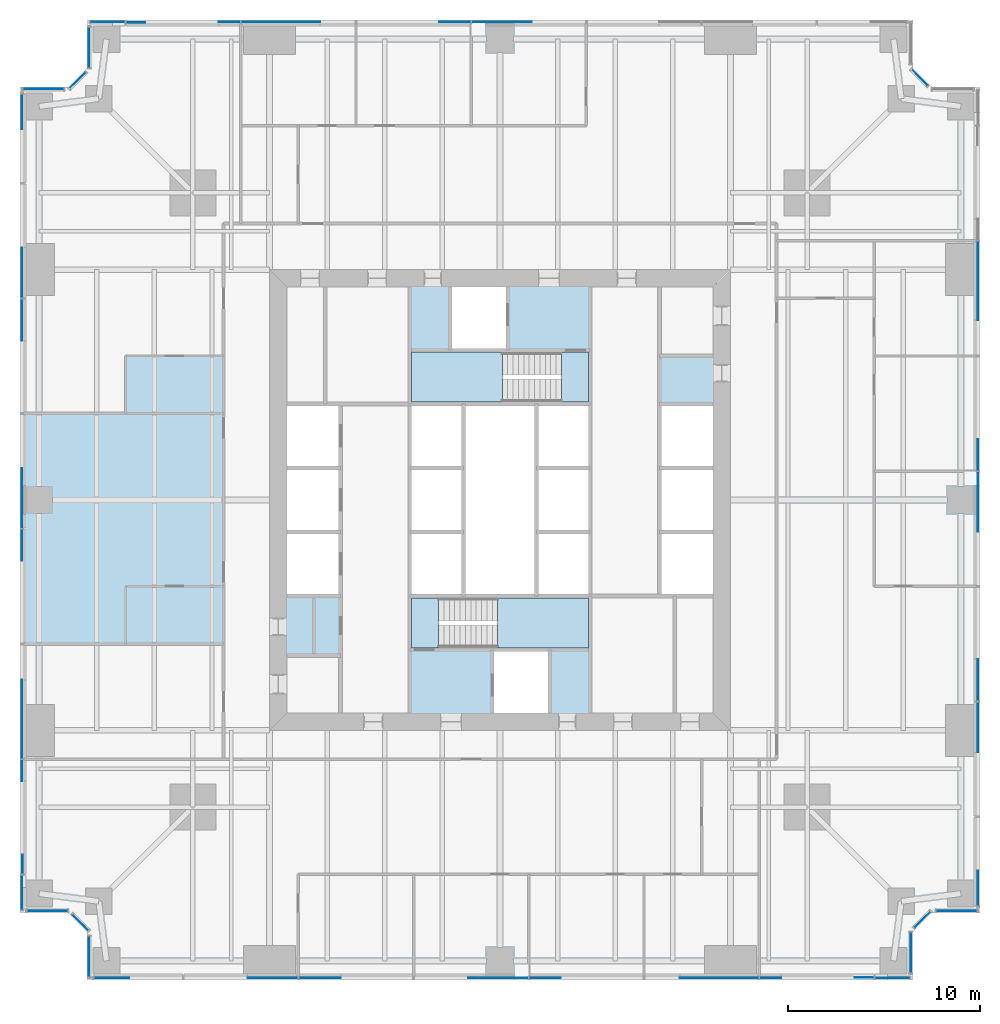
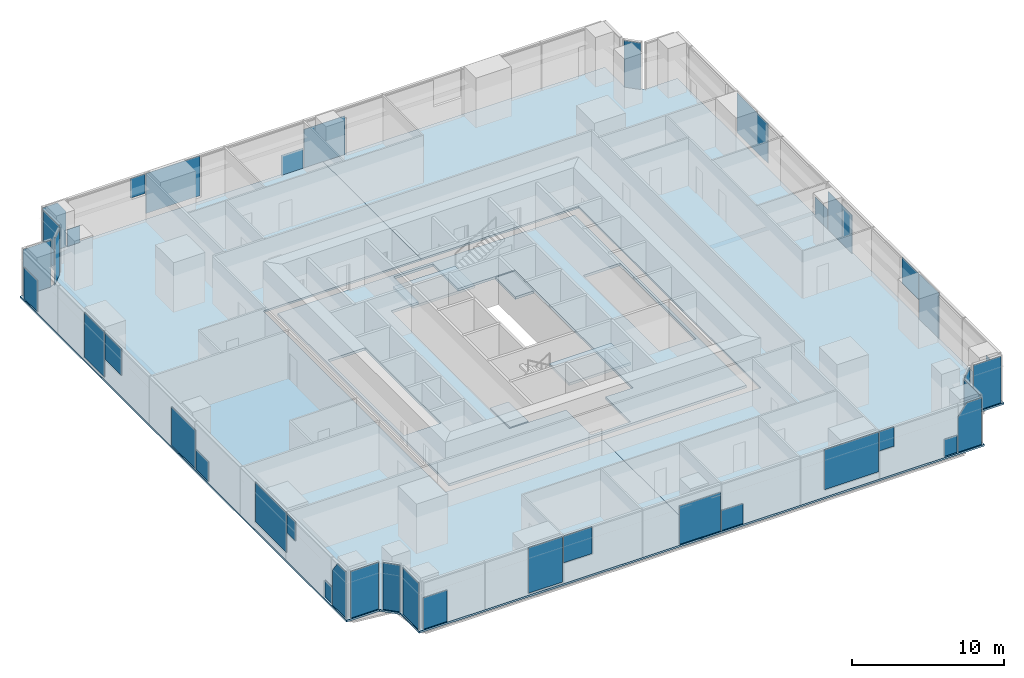
# One storey, part 8 of 14: 40 plates, 7 slabs, 16 elements without a shape of their own.
"""IFC4 building model written with IfcOpenShell, lengths in metres."""

from ifc_helpers import new_model, si_unit, direction, frame, origin, origin_2d, place, context, subcontext, project, spatial, polyline, rectangle, outline, extrude, material, layer, layer_set, type_object, element, aggregate, save


model = new_model("IFC4")

# Units and contexts
model_context = context("Model", 3, precision=1e-05, world=origin(), true_north=direction((0.0, 1.0)))
body_context = subcontext(model_context, "Body", "Model", "MODEL_VIEW")
ifc_project = project(units=[si_unit("LENGTHUNIT", "METRE"), si_unit("AREAUNIT", "SQUARE_METRE"), si_unit("VOLUMEUNIT", "CUBIC_METRE"), si_unit("PLANEANGLEUNIT", "RADIAN"), si_unit("MASSUNIT", "GRAM", prefix="KILO")], contexts=[model_context])

# Site, building, storey
site_placement = place(None, origin())
site = spatial("IfcSite", under=ifc_project, at=site_placement, CompositionType="ELEMENT")
building_placement = place(site_placement, origin())
building = spatial("IfcBuilding", under=site, at=building_placement, Name="Fenwick Lantern Interchange", CompositionType="ELEMENT")
storey_placement = place(building_placement, frame((0.0, 0.0, 83.0)))
storey = spatial("IfcBuildingStorey", under=building, at=storey_placement, Name="L19", CompositionType="ELEMENT", Elevation=83.0)

# Slabs
ifc_material_1 = material(Name="Concrete f'c 35 MPa", Category="concrete")
ifc_layer_1 = layer(ifc_material_1, 0.199951171875)
ifc_layer_set_1 = layer_set([ifc_layer_1], Name="CORE FLOOR SLAB 200")
slab_type_1 = type_object("IfcSlabType", Name="CORE FLOOR SLAB 200", PredefinedType="FLOOR", material=ifc_layer_set_1)
slab_1_placement = place(storey_placement, frame((0.0, 0.0, -0.199951171875)))
element("IfcSlab", 1, at=slab_1_placement, inside=storey, type_object=slab_type_1, Name="L19/SLAB/CORE", PredefinedType="FLOOR", context=body_context, shape_type="SweptSolid", body=[
    extrude(outline(polyline([(13.699951171875, 36.300048828125), (36.300048828125, 36.300048828125), (36.300048828125, 13.699951171875), (13.699951171875, 13.699951171875), (13.699951171875, 36.300048828125)]), holes=[polyline([(13.89990234375, 20.0), (16.699951171875, 20.0), (16.699951171875, 23.333251953125), (16.699951171875, 26.666748046875), (16.699951171875, 30.0), (13.89990234375, 30.0), (13.89990234375, 26.666748046875), (13.89990234375, 23.333251953125), (13.89990234375, 20.0)]), polyline([(20.300048828125, 20.0), (20.300048828125, 17.199951171875), (24.60009765625, 17.199951171875), (24.60009765625, 13.89990234375), (27.60009765625, 13.89990234375), (27.60009765625, 17.199951171875), (29.699951171875, 17.199951171875), (29.699951171875, 20.0), (29.699951171875, 23.333251953125), (29.699951171875, 26.666748046875), (29.699951171875, 30.0), (29.699951171875, 32.800048828125), (25.39990234375, 32.800048828125), (25.39990234375, 36.10009765625), (22.39990234375, 36.10009765625), (22.39990234375, 32.800048828125), (20.300048828125, 32.800048828125), (20.300048828125, 30.0), (20.300048828125, 26.666748046875), (20.300048828125, 23.333251953125), (20.300048828125, 20.0)]), polyline([(33.300048828125, 23.333251953125), (33.300048828125, 20.0), (36.10009765625, 20.0), (36.10009765625, 23.333251953125), (36.10009765625, 26.666748046875), (36.10009765625, 30.0), (33.300048828125, 30.0), (33.300048828125, 26.666748046875), (33.300048828125, 23.333251953125)])]), origin(), (0.0, 0.0, 1.0), 0.199951171875),
])
ifc_material_2 = material(Name="Concrete f'c 35 MPa", Category="concrete")
ifc_layer_2 = layer(ifc_material_2, 0.14990234375)
ifc_layer_set_2 = layer_set([ifc_layer_2], Name="Concrete f'c 35 MPa")
slab_type_2 = type_object("IfcSlabType", Name="FLOOR SLAB 150", PredefinedType="FLOOR", material=ifc_layer_set_2)
slab_2_placement = place(storey_placement, frame((0.0, 0.0, -0.14990234375)))
element("IfcSlab", 2, at=slab_2_placement, inside=storey, type_object=slab_type_2, Name="L19/SLAB/FW", PredefinedType="FLOOR", context=body_context, shape_type="SweptSolid", body=[
    extrude(outline(polyline([(3.5, 0.0), (3.5, 2.5), (2.5, 3.5), (0.0, 3.5), (0.0, 46.5), (2.5, 46.5), (3.5, 47.5), (3.5, 50.0), (25.0, 50.0), (25.0, 37.0), (13.0, 37.0), (13.0, 13.0), (25.0, 13.0), (25.0, 0.0), (3.5, 0.0)])), origin(), (0.0, 0.0, 1.0), 0.14990234375),
])
slab_3_placement = place(storey_placement, frame((0.0, 0.0, -0.14990234375)))
element("IfcSlab", 3, at=slab_3_placement, inside=storey, type_object=slab_type_2, Name="L19/SLAB/FE", PredefinedType="FLOOR", context=body_context, shape_type="SweptSolid", body=[
    extrude(outline(polyline([(46.5, 50.0), (46.5, 47.5), (47.5, 46.5), (50.0, 46.5), (50.0, 3.5), (47.5, 3.5), (46.5, 2.5), (46.5, 0.0), (25.0, 0.0), (25.0, 13.0), (37.0, 13.0), (37.0, 37.0), (25.0, 37.0), (25.0, 50.0), (46.5, 50.0)])), origin(), (0.0, 0.0, 1.0), 0.14990234375),
])

# Curtain wall, plates
ifc_material_3 = material(Name="Aluminium curtain wall frame", Category="aluminium")
curtain_wall_type = type_object("IfcCurtainWallType", Name="OFFICE CURTAIN WALL", PredefinedType="USERDEFINED", material=ifc_material_3)
curtain_wall_1_placement = place(storey_placement, origin())
curtain_wall_1 = element("IfcCurtainWall", 4, at=curtain_wall_1_placement, inside=storey, type_object=curtain_wall_type, Name="Office curtain wall 01", ObjectType="OFFICE CURTAIN WALL", PredefinedType="USERDEFINED")
ifc_material_4 = material(Name="Vision glass, clear low-iron double glazed", Category="glass")
ifc_layer_3 = layer(ifc_material_4, 0.031982421875)
ifc_layer_set_3 = layer_set([ifc_layer_3], Name="OFFICE CURTAIN WALL PANEL 32")
plate_type = type_object("IfcPlateType", Name="OFFICE CURTAIN WALL PANEL 32", PredefinedType="CURTAIN_PANEL", material=ifc_layer_set_3)
plate_1_placement = place(storey_placement, frame((3.60009765625, 0.10009765625, 0.0), z_axis=(0.0, 0.0, 1.0), x_axis=(1.0, 0.0, 0.0)))
plate_1 = element("IfcPlate", 5, at=plate_1_placement, type_object=plate_type, Name="L19/CW/01/P00a", PredefinedType="CURTAIN_PANEL", context=body_context, shape_type="SweptSolid", body=[
    extrude(outline(polyline([(0.264892578125, 0.0), (2.080078125, 0.0), (2.080078125, 2.534912109375), (0.264892578125, 2.534912109375), (0.264892578125, 0.0)])), frame((0.0, 0.01611328125, 0.0), z_axis=(0.0, -1.0, 0.0), x_axis=(1.0, 0.0, 0.0)), (0.0, 0.0, 1.0), 0.031982421875),
])
plate_2_placement = place(storey_placement, frame((3.60009765625, 0.10009765625, 0.093505859375), z_axis=(0.0, 0.0, 1.0), x_axis=(1.0, 0.0, 0.0)))
plate_2 = element("IfcPlate", 6, at=plate_2_placement, type_object=plate_type, Name="L19/CW/01/P01a", PredefinedType="CURTAIN_PANEL", context=body_context, shape_type="SweptSolid", body=[
    extrude(outline(polyline([(8.251953125, 0.0), (10.867431640625, 0.0), (10.867431640625, 3.656494140625), (8.251953125, 3.656494140625), (8.251953125, 0.0)])), frame((0.0, 0.01611328125, 0.0), z_axis=(0.0, -1.0, 0.0), x_axis=(1.0, 0.0, 0.0)), (0.0, 0.0, 1.0), 0.031982421875),
])
plate_3_placement = place(storey_placement, frame((3.60009765625, 0.10009765625, 1.599365234375), z_axis=(0.0, 0.0, 1.0), x_axis=(1.0, 0.0, 0.0)))
plate_3 = element("IfcPlate", 7, at=plate_3_placement, type_object=plate_type, Name="L19/CW/01/P02a", PredefinedType="CURTAIN_PANEL", context=body_context, shape_type="SweptSolid", body=[
    extrude(outline(polyline([(10.9326171875, 0.0), (13.107421875, 0.0), (13.107421875, 2.150634765625), (10.9326171875, 2.150634765625), (10.9326171875, 0.0)])), frame((0.0, 0.01611328125, 0.0), z_axis=(0.0, -1.0, 0.0), x_axis=(1.0, 0.0, 0.0)), (0.0, 0.0, 1.0), 0.031982421875),
])
plate_4_placement = place(storey_placement, frame((3.60009765625, 0.10009765625, 0.0), z_axis=(0.0, 0.0, 1.0), x_axis=(1.0, 0.0, 0.0)))
plate_4 = element("IfcPlate", 8, at=plate_4_placement, type_object=plate_type, Name="L19/CW/01/P03a", PredefinedType="CURTAIN_PANEL", context=body_context, shape_type="SweptSolid", body=[
    extrude(outline(polyline([(19.737548828125, 0.0), (22.867431640625, 0.0), (22.867431640625, 3.09912109375), (19.737548828125, 3.09912109375), (19.737548828125, 0.0)])), frame((0.0, 0.01611328125, 0.0), z_axis=(0.0, -1.0, 0.0), x_axis=(1.0, 0.0, 0.0)), (0.0, 0.0, 1.0), 0.031982421875),
])
plate_5_placement = place(storey_placement, frame((3.60009765625, 0.10009765625, 0.0), z_axis=(0.0, 0.0, 1.0), x_axis=(1.0, 0.0, 0.0)))
plate_5 = element("IfcPlate", 9, at=plate_5_placement, type_object=plate_type, Name="L19/CW/01/P04a", PredefinedType="CURTAIN_PANEL", context=body_context, shape_type="SweptSolid", body=[
    extrude(outline(polyline([(22.9326171875, 0.0), (24.5625, 0.0), (24.5625, 1.61328125), (22.9326171875, 1.61328125), (22.9326171875, 0.0)])), frame((0.0, 0.01611328125, 0.0), z_axis=(0.0, -1.0, 0.0), x_axis=(1.0, 0.0, 0.0)), (0.0, 0.0, 1.0), 0.031982421875),
])
plate_6_placement = place(storey_placement, frame((3.60009765625, 0.10009765625, 0.540283203125), z_axis=(0.0, 0.0, 1.0), x_axis=(1.0, 0.0, 0.0)))
plate_6 = element("IfcPlate", 10, at=plate_6_placement, type_object=plate_type, Name="L19/CW/01/P05a", PredefinedType="CURTAIN_PANEL", context=body_context, shape_type="SweptSolid", body=[
    extrude(outline(polyline([(30.762451171875, 0.0), (34.867431640625, 0.0), (34.867431640625, 3.209716796875), (30.762451171875, 3.209716796875), (30.762451171875, 0.0)])), frame((0.0, 0.01611328125, 0.0), z_axis=(0.0, -1.0, 0.0), x_axis=(1.0, 0.0, 0.0)), (0.0, 0.0, 1.0), 0.031982421875),
])
plate_7_placement = place(storey_placement, frame((3.60009765625, 0.10009765625, 2.190185546875), z_axis=(0.0, 0.0, 1.0), x_axis=(1.0, 0.0, 0.0)))
plate_7 = element("IfcPlate", 11, at=plate_7_placement, type_object=plate_type, Name="L19/CW/01/P06a", PredefinedType="CURTAIN_PANEL", context=body_context, shape_type="SweptSolid", body=[
    extrude(outline(polyline([(34.9326171875, 0.0), (36.047607421875, 0.0), (36.047607421875, 1.559814453125), (34.9326171875, 1.559814453125), (34.9326171875, 0.0)])), frame((0.0, 0.01611328125, 0.0), z_axis=(0.0, -1.0, 0.0), x_axis=(1.0, 0.0, 0.0)), (0.0, 0.0, 1.0), 0.031982421875),
])
plate_8_placement = place(storey_placement, frame((3.60009765625, 0.10009765625, 0.0), z_axis=(0.0, 0.0, 1.0), x_axis=(1.0, 0.0, 0.0)))
plate_8 = element("IfcPlate", 12, at=plate_8_placement, type_object=plate_type, Name="L19/CW/01/P06b", PredefinedType="CURTAIN_PANEL", context=body_context, shape_type="SweptSolid", body=[
    extrude(outline(polyline([(39.88720703125, 0.0), (40.867431640625, 0.0), (40.867431640625, 1.370361328125), (39.88720703125, 1.370361328125), (39.88720703125, 0.0)])), frame((0.0, 0.0498046875, 0.0), z_axis=(0.0, -1.0, 0.0), x_axis=(1.0, 0.0, 0.0)), (0.0, 0.0, 1.0), 0.031982421875),
])
plate_9_placement = place(storey_placement, frame((3.60009765625, 0.10009765625, 0.0), z_axis=(0.0, 0.0, 1.0), x_axis=(1.0, 0.0, 0.0)))
plate_9 = element("IfcPlate", 13, at=plate_9_placement, type_object=plate_type, Name="L19/CW/01/P07a", PredefinedType="CURTAIN_PANEL", context=body_context, shape_type="SweptSolid", body=[
    extrude(outline(polyline([(40.9326171875, 0.0), (42.735107421875, 0.0), (42.735107421875, 3.75), (41.589111328125, 3.75), (40.9326171875, 2.83203125), (40.9326171875, 0.0)])), frame((0.0, 0.01611328125, 0.0), z_axis=(0.0, -1.0, 0.0), x_axis=(1.0, 0.0, 0.0)), (0.0, 0.0, 1.0), 0.031982421875),
])
aggregate(curtain_wall_1, [plate_1, plate_2, plate_3, plate_4, plate_5, plate_6, plate_7, plate_8, plate_9])

# Curtain wall, plate
curtain_wall_2_placement = place(storey_placement, origin())
curtain_wall_2 = element("IfcCurtainWall", 14, at=curtain_wall_2_placement, inside=storey, type_object=curtain_wall_type, Name="Office curtain wall 02", ObjectType="OFFICE CURTAIN WALL", PredefinedType="USERDEFINED")
plate_10_placement = place(storey_placement, frame((46.39990234375, 1.420654296875, 0.0), z_axis=(0.0, 0.0, 1.0), x_axis=(0.0, 1.0, 0.0)))
plate_10 = element("IfcPlate", 15, at=plate_10_placement, type_object=plate_type, Name="L19/CW/02/P00", PredefinedType="CURTAIN_PANEL", context=body_context, shape_type="SweptSolid", body=[
    extrude(rectangle(XDim=2.111328125, YDim=0.031982421875, at=origin_2d()), origin(), (0.0, 0.0, 1.0), 3.75),
])
aggregate(curtain_wall_2, [plate_10])

curtain_wall_3_placement = place(storey_placement, origin())
curtain_wall_3 = element("IfcCurtainWall", 16, at=curtain_wall_3_placement, inside=storey, type_object=curtain_wall_type, Name="Office curtain wall 03", ObjectType="OFFICE CURTAIN WALL", PredefinedType="USERDEFINED")
plate_11_placement = place(storey_placement, frame((47.0, 3.141357421875, 0.0), z_axis=(0.0, 0.0, 1.0), x_axis=(0.707106781187, 0.707106781187, 0.0)))
plate_11 = element("IfcPlate", 17, at=plate_11_placement, type_object=plate_type, Name="L19/CW/03/P00", PredefinedType="CURTAIN_PANEL", context=body_context, shape_type="SweptSolid", body=[
    extrude(rectangle(XDim=1.1669921875, YDim=0.031982421875, at=origin_2d()), origin(), (0.0, 0.0, 1.0), 3.75),
])
aggregate(curtain_wall_3, [plate_11])

curtain_wall_4_placement = place(storey_placement, origin())
curtain_wall_4 = element("IfcCurtainWall", 18, at=curtain_wall_4_placement, inside=storey, type_object=curtain_wall_type, Name="Office curtain wall 04", ObjectType="OFFICE CURTAIN WALL", PredefinedType="USERDEFINED")
plate_12_placement = place(storey_placement, frame((48.779296875, 3.60009765625, 0.0), z_axis=(0.0, 0.0, 1.0), x_axis=(1.0, 0.0, 0.0)))
plate_12 = element("IfcPlate", 19, at=plate_12_placement, type_object=plate_type, Name="L19/CW/04/P00", PredefinedType="CURTAIN_PANEL", context=body_context, shape_type="SweptSolid", body=[
    extrude(rectangle(XDim=2.111328125, YDim=0.031982421875, at=origin_2d()), origin(), (0.0, 0.0, 1.0), 3.75),
])
aggregate(curtain_wall_4, [plate_12])

# Curtain wall, plates
curtain_wall_5_placement = place(storey_placement, origin())
curtain_wall_5 = element("IfcCurtainWall", 20, at=curtain_wall_5_placement, inside=storey, type_object=curtain_wall_type, Name="Office curtain wall 05", ObjectType="OFFICE CURTAIN WALL", PredefinedType="USERDEFINED")
plate_13_placement = place(storey_placement, frame((49.89990234375, 3.60009765625, 0.0), z_axis=(0.0, 0.0, 1.0), x_axis=(0.0, 1.0, 0.0)))
plate_13 = element("IfcPlate", 21, at=plate_13_placement, type_object=plate_type, Name="L19/CW/05/P00a", PredefinedType="CURTAIN_PANEL", context=body_context, shape_type="SweptSolid", body=[
    extrude(outline(polyline([(0.264892578125, 0.0), (2.080078125, 0.0), (2.080078125, 2.534912109375), (0.264892578125, 2.534912109375), (0.264892578125, 0.0)])), frame((0.0, 0.01611328125, 0.0), z_axis=(0.0, -1.0, 0.0), x_axis=(1.0, 0.0, 0.0)), (0.0, 0.0, 1.0), 0.031982421875),
])
plate_14_placement = place(storey_placement, frame((49.89990234375, 3.60009765625, 0.093505859375), z_axis=(0.0, 0.0, 1.0), x_axis=(0.0, 1.0, 0.0)))
plate_14 = element("IfcPlate", 22, at=plate_14_placement, type_object=plate_type, Name="L19/CW/05/P01a", PredefinedType="CURTAIN_PANEL", context=body_context, shape_type="SweptSolid", body=[
    extrude(outline(polyline([(8.251953125, 0.0), (10.867431640625, 0.0), (10.867431640625, 3.656494140625), (8.251953125, 3.656494140625), (8.251953125, 0.0)])), frame((0.0, 0.01611328125, 0.0), z_axis=(0.0, -1.0, 0.0), x_axis=(1.0, 0.0, 0.0)), (0.0, 0.0, 1.0), 0.031982421875),
])
plate_15_placement = place(storey_placement, frame((49.89990234375, 3.60009765625, 1.599365234375), z_axis=(0.0, 0.0, 1.0), x_axis=(0.0, 1.0, 0.0)))
plate_15 = element("IfcPlate", 23, at=plate_15_placement, type_object=plate_type, Name="L19/CW/05/P02a", PredefinedType="CURTAIN_PANEL", context=body_context, shape_type="SweptSolid", body=[
    extrude(outline(polyline([(10.9326171875, 0.0), (13.107421875, 0.0), (13.107421875, 2.150634765625), (10.9326171875, 2.150634765625), (10.9326171875, 0.0)])), frame((0.0, 0.01611328125, 0.0), z_axis=(0.0, -1.0, 0.0), x_axis=(1.0, 0.0, 0.0)), (0.0, 0.0, 1.0), 0.031982421875),
])
plate_16_placement = place(storey_placement, frame((49.89990234375, 3.60009765625, 0.0), z_axis=(0.0, 0.0, 1.0), x_axis=(0.0, 1.0, 0.0)))
plate_16 = element("IfcPlate", 24, at=plate_16_placement, type_object=plate_type, Name="L19/CW/05/P03a", PredefinedType="CURTAIN_PANEL", context=body_context, shape_type="SweptSolid", body=[
    extrude(outline(polyline([(19.737548828125, 0.0), (22.867431640625, 0.0), (22.867431640625, 3.09912109375), (19.737548828125, 3.09912109375), (19.737548828125, 0.0)])), frame((0.0, 0.01611328125, 0.0), z_axis=(0.0, -1.0, 0.0), x_axis=(1.0, 0.0, 0.0)), (0.0, 0.0, 1.0), 0.031982421875),
])
plate_17_placement = place(storey_placement, frame((49.89990234375, 3.60009765625, 0.0), z_axis=(0.0, 0.0, 1.0), x_axis=(0.0, 1.0, 0.0)))
plate_17 = element("IfcPlate", 25, at=plate_17_placement, type_object=plate_type, Name="L19/CW/05/P04a", PredefinedType="CURTAIN_PANEL", context=body_context, shape_type="SweptSolid", body=[
    extrude(outline(polyline([(22.9326171875, 0.0), (24.5625, 0.0), (24.5625, 1.61328125), (22.9326171875, 1.61328125), (22.9326171875, 0.0)])), frame((0.0, 0.01611328125, 0.0), z_axis=(0.0, -1.0, 0.0), x_axis=(1.0, 0.0, 0.0)), (0.0, 0.0, 1.0), 0.031982421875),
])
plate_18_placement = place(storey_placement, frame((49.89990234375, 3.60009765625, 0.540283203125), z_axis=(0.0, 0.0, 1.0), x_axis=(0.0, 1.0, 0.0)))
plate_18 = element("IfcPlate", 26, at=plate_18_placement, type_object=plate_type, Name="L19/CW/05/P05a", PredefinedType="CURTAIN_PANEL", context=body_context, shape_type="SweptSolid", body=[
    extrude(outline(polyline([(30.762451171875, 0.0), (34.867431640625, 0.0), (34.867431640625, 3.209716796875), (30.762451171875, 3.209716796875), (30.762451171875, 0.0)])), frame((0.0, 0.01611328125, 0.0), z_axis=(0.0, -1.0, 0.0), x_axis=(1.0, 0.0, 0.0)), (0.0, 0.0, 1.0), 0.031982421875),
])
aggregate(curtain_wall_5, [plate_13, plate_14, plate_15, plate_16, plate_17, plate_18])

# Curtain wall, plate
curtain_wall_6_placement = place(storey_placement, origin())
curtain_wall_6 = element("IfcCurtainWall", 27, at=curtain_wall_6_placement, inside=storey, type_object=curtain_wall_type, Name="Office curtain wall 07", ObjectType="OFFICE CURTAIN WALL", PredefinedType="USERDEFINED")
plate_19_placement = place(storey_placement, frame((46.858642578125, 47.0, 0.0), z_axis=(0.0, 0.0, 1.0), x_axis=(-0.707106781187, 0.707106781187, 0.0)))
plate_19 = element("IfcPlate", 28, at=plate_19_placement, type_object=plate_type, Name="L19/CW/07/P00", PredefinedType="CURTAIN_PANEL", context=body_context, shape_type="SweptSolid", body=[
    extrude(rectangle(XDim=1.1669921875, YDim=0.031982421875, at=origin_2d()), origin(), (0.0, 0.0, 1.0), 3.75),
])
aggregate(curtain_wall_6, [plate_19])

# Curtain wall, plates
curtain_wall_7_placement = place(storey_placement, origin())
curtain_wall_7 = element("IfcCurtainWall", 29, at=curtain_wall_7_placement, inside=storey, type_object=curtain_wall_type, Name="Office curtain wall 09", ObjectType="OFFICE CURTAIN WALL", PredefinedType="USERDEFINED")
plate_20_placement = place(storey_placement, frame((46.39990234375, 49.89990234375, 0.0), z_axis=(0.0, 0.0, 1.0), x_axis=(-1.0, 0.0, 0.0)))
plate_20 = element("IfcPlate", 30, at=plate_20_placement, type_object=plate_type, Name="L19/CW/09/P03a", PredefinedType="CURTAIN_PANEL", context=body_context, shape_type="SweptSolid", body=[
    extrude(outline(polyline([(19.737548828125, 0.0), (22.867431640625, 0.0), (22.867431640625, 3.09912109375), (19.737548828125, 3.09912109375), (19.737548828125, 0.0)])), frame((0.0, 0.01611328125, 0.0), z_axis=(0.0, -1.0, 0.0), x_axis=(1.0, 0.0, 0.0)), (0.0, 0.0, 1.0), 0.031982421875),
])
plate_21_placement = place(storey_placement, frame((46.39990234375, 49.89990234375, 0.0), z_axis=(0.0, 0.0, 1.0), x_axis=(-1.0, 0.0, 0.0)))
plate_21 = element("IfcPlate", 31, at=plate_21_placement, type_object=plate_type, Name="L19/CW/09/P04a", PredefinedType="CURTAIN_PANEL", context=body_context, shape_type="SweptSolid", body=[
    extrude(outline(polyline([(22.9326171875, 0.0), (24.5625, 0.0), (24.5625, 1.61328125), (22.9326171875, 1.61328125), (22.9326171875, 0.0)])), frame((0.0, 0.01611328125, 0.0), z_axis=(0.0, -1.0, 0.0), x_axis=(1.0, 0.0, 0.0)), (0.0, 0.0, 1.0), 0.031982421875),
])
plate_22_placement = place(storey_placement, frame((46.39990234375, 49.89990234375, 0.540283203125), z_axis=(0.0, 0.0, 1.0), x_axis=(-1.0, 0.0, 0.0)))
plate_22 = element("IfcPlate", 32, at=plate_22_placement, type_object=plate_type, Name="L19/CW/09/P05a", PredefinedType="CURTAIN_PANEL", context=body_context, shape_type="SweptSolid", body=[
    extrude(outline(polyline([(30.762451171875, 0.0), (34.867431640625, 0.0), (34.867431640625, 3.209716796875), (30.762451171875, 3.209716796875), (30.762451171875, 0.0)])), frame((0.0, 0.01611328125, 0.0), z_axis=(0.0, -1.0, 0.0), x_axis=(1.0, 0.0, 0.0)), (0.0, 0.0, 1.0), 0.031982421875),
])
plate_23_placement = place(storey_placement, frame((46.39990234375, 49.89990234375, 2.190185546875), z_axis=(0.0, 0.0, 1.0), x_axis=(-1.0, 0.0, 0.0)))
plate_23 = element("IfcPlate", 33, at=plate_23_placement, type_object=plate_type, Name="L19/CW/09/P06a", PredefinedType="CURTAIN_PANEL", context=body_context, shape_type="SweptSolid", body=[
    extrude(outline(polyline([(34.9326171875, 0.0), (36.047607421875, 0.0), (36.047607421875, 1.559814453125), (34.9326171875, 1.559814453125), (34.9326171875, 0.0)])), frame((0.0, 0.01611328125, 0.0), z_axis=(0.0, -1.0, 0.0), x_axis=(1.0, 0.0, 0.0)), (0.0, 0.0, 1.0), 0.031982421875),
])
plate_24_placement = place(storey_placement, frame((46.39990234375, 49.89990234375, 0.0), z_axis=(0.0, 0.0, 1.0), x_axis=(-1.0, 0.0, 0.0)))
plate_24 = element("IfcPlate", 34, at=plate_24_placement, type_object=plate_type, Name="L19/CW/09/P06b", PredefinedType="CURTAIN_PANEL", context=body_context, shape_type="SweptSolid", body=[
    extrude(outline(polyline([(39.88720703125, 0.0), (40.867431640625, 0.0), (40.867431640625, 1.370361328125), (39.88720703125, 1.370361328125), (39.88720703125, 0.0)])), frame((0.0, 0.0498046875, 0.0), z_axis=(0.0, -1.0, 0.0), x_axis=(1.0, 0.0, 0.0)), (0.0, 0.0, 1.0), 0.031982421875),
])
plate_25_placement = place(storey_placement, frame((46.39990234375, 49.89990234375, 0.0), z_axis=(0.0, 0.0, 1.0), x_axis=(-1.0, 0.0, 0.0)))
plate_25 = element("IfcPlate", 35, at=plate_25_placement, type_object=plate_type, Name="L19/CW/09/P07a", PredefinedType="CURTAIN_PANEL", context=body_context, shape_type="SweptSolid", body=[
    extrude(outline(polyline([(40.9326171875, 0.0), (42.735107421875, 0.0), (42.735107421875, 3.75), (41.589111328125, 3.75), (40.9326171875, 2.83203125), (40.9326171875, 0.0)])), frame((0.0, 0.01611328125, 0.0), z_axis=(0.0, -1.0, 0.0), x_axis=(1.0, 0.0, 0.0)), (0.0, 0.0, 1.0), 0.031982421875),
])
aggregate(curtain_wall_7, [plate_20, plate_21, plate_22, plate_23, plate_24, plate_25])

# Curtain wall, plate
curtain_wall_8_placement = place(storey_placement, origin())
curtain_wall_8 = element("IfcCurtainWall", 36, at=curtain_wall_8_placement, inside=storey, type_object=curtain_wall_type, Name="Office curtain wall 10", ObjectType="OFFICE CURTAIN WALL", PredefinedType="USERDEFINED")
plate_26_placement = place(storey_placement, frame((3.60009765625, 48.579345703125, 0.0), z_axis=(0.0, 0.0, 1.0), x_axis=(0.0, -1.0, 0.0)))
plate_26 = element("IfcPlate", 37, at=plate_26_placement, type_object=plate_type, Name="L19/CW/10/P00", PredefinedType="CURTAIN_PANEL", context=body_context, shape_type="SweptSolid", body=[
    extrude(rectangle(XDim=2.111328125, YDim=0.031982421875, at=origin_2d()), origin(), (0.0, 0.0, 1.0), 3.75),
])
aggregate(curtain_wall_8, [plate_26])

curtain_wall_9_placement = place(storey_placement, origin())
curtain_wall_9 = element("IfcCurtainWall", 38, at=curtain_wall_9_placement, inside=storey, type_object=curtain_wall_type, Name="Office curtain wall 11", ObjectType="OFFICE CURTAIN WALL", PredefinedType="USERDEFINED")
plate_27_placement = place(storey_placement, frame((3.0, 46.858642578125, 0.0), z_axis=(0.0, 0.0, 1.0), x_axis=(-0.707106781187, -0.707106781187, 0.0)))
plate_27 = element("IfcPlate", 39, at=plate_27_placement, type_object=plate_type, Name="L19/CW/11/P00", PredefinedType="CURTAIN_PANEL", context=body_context, shape_type="SweptSolid", body=[
    extrude(rectangle(XDim=1.1669921875, YDim=0.031982421875, at=origin_2d()), origin(), (0.0, 0.0, 1.0), 3.75),
])
aggregate(curtain_wall_9, [plate_27])

curtain_wall_10_placement = place(storey_placement, origin())
curtain_wall_10 = element("IfcCurtainWall", 40, at=curtain_wall_10_placement, inside=storey, type_object=curtain_wall_type, Name="Office curtain wall 12", ObjectType="OFFICE CURTAIN WALL", PredefinedType="USERDEFINED")
plate_28_placement = place(storey_placement, frame((1.220703125, 46.39990234375, 0.0), z_axis=(0.0, 0.0, 1.0), x_axis=(-1.0, 0.0, 0.0)))
plate_28 = element("IfcPlate", 41, at=plate_28_placement, type_object=plate_type, Name="L19/CW/12/P00", PredefinedType="CURTAIN_PANEL", context=body_context, shape_type="SweptSolid", body=[
    extrude(rectangle(XDim=2.111328125, YDim=0.031982421875, at=origin_2d()), origin(), (0.0, 0.0, 1.0), 3.75),
])
aggregate(curtain_wall_10, [plate_28])

# Curtain wall, plates
curtain_wall_11_placement = place(storey_placement, origin())
curtain_wall_11 = element("IfcCurtainWall", 42, at=curtain_wall_11_placement, inside=storey, type_object=curtain_wall_type, Name="Office curtain wall 13", ObjectType="OFFICE CURTAIN WALL", PredefinedType="USERDEFINED")
plate_29_placement = place(storey_placement, frame((0.10009765625, 46.39990234375, 0.0), z_axis=(0.0, 0.0, 1.0), x_axis=(0.0, -1.0, 0.0)))
plate_29 = element("IfcPlate", 43, at=plate_29_placement, type_object=plate_type, Name="L19/CW/13/P00a", PredefinedType="CURTAIN_PANEL", context=body_context, shape_type="SweptSolid", body=[
    extrude(outline(polyline([(0.264892578125, 0.0), (2.080078125, 0.0), (2.080078125, 2.534912109375), (0.264892578125, 2.534912109375), (0.264892578125, 0.0)])), frame((0.0, 0.01611328125, 0.0), z_axis=(0.0, -1.0, 0.0), x_axis=(1.0, 0.0, 0.0)), (0.0, 0.0, 1.0), 0.031982421875),
])
plate_30_placement = place(storey_placement, frame((0.10009765625, 46.39990234375, 0.093505859375), z_axis=(0.0, 0.0, 1.0), x_axis=(0.0, -1.0, 0.0)))
plate_30 = element("IfcPlate", 44, at=plate_30_placement, type_object=plate_type, Name="L19/CW/13/P01a", PredefinedType="CURTAIN_PANEL", context=body_context, shape_type="SweptSolid", body=[
    extrude(outline(polyline([(8.251953125, 0.0), (10.867431640625, 0.0), (10.867431640625, 3.656494140625), (8.251953125, 3.656494140625), (8.251953125, 0.0)])), frame((0.0, 0.01611328125, 0.0), z_axis=(0.0, -1.0, 0.0), x_axis=(1.0, 0.0, 0.0)), (0.0, 0.0, 1.0), 0.031982421875),
])
plate_31_placement = place(storey_placement, frame((0.10009765625, 46.39990234375, 1.599365234375), z_axis=(0.0, 0.0, 1.0), x_axis=(0.0, -1.0, 0.0)))
plate_31 = element("IfcPlate", 45, at=plate_31_placement, type_object=plate_type, Name="L19/CW/13/P02a", PredefinedType="CURTAIN_PANEL", context=body_context, shape_type="SweptSolid", body=[
    extrude(outline(polyline([(10.9326171875, 0.0), (13.107421875, 0.0), (13.107421875, 2.150634765625), (10.9326171875, 2.150634765625), (10.9326171875, 0.0)])), frame((0.0, 0.01611328125, 0.0), z_axis=(0.0, -1.0, 0.0), x_axis=(1.0, 0.0, 0.0)), (0.0, 0.0, 1.0), 0.031982421875),
])
plate_32_placement = place(storey_placement, frame((0.10009765625, 46.39990234375, 0.0), z_axis=(0.0, 0.0, 1.0), x_axis=(0.0, -1.0, 0.0)))
plate_32 = element("IfcPlate", 46, at=plate_32_placement, type_object=plate_type, Name="L19/CW/13/P03a", PredefinedType="CURTAIN_PANEL", context=body_context, shape_type="SweptSolid", body=[
    extrude(outline(polyline([(19.737548828125, 0.0), (22.867431640625, 0.0), (22.867431640625, 3.09912109375), (19.737548828125, 3.09912109375), (19.737548828125, 0.0)])), frame((0.0, 0.01611328125, 0.0), z_axis=(0.0, -1.0, 0.0), x_axis=(1.0, 0.0, 0.0)), (0.0, 0.0, 1.0), 0.031982421875),
])
plate_33_placement = place(storey_placement, frame((0.10009765625, 46.39990234375, 0.0), z_axis=(0.0, 0.0, 1.0), x_axis=(0.0, -1.0, 0.0)))
plate_33 = element("IfcPlate", 47, at=plate_33_placement, type_object=plate_type, Name="L19/CW/13/P04a", PredefinedType="CURTAIN_PANEL", context=body_context, shape_type="SweptSolid", body=[
    extrude(outline(polyline([(22.9326171875, 0.0), (24.5625, 0.0), (24.5625, 1.61328125), (22.9326171875, 1.61328125), (22.9326171875, 0.0)])), frame((0.0, 0.01611328125, 0.0), z_axis=(0.0, -1.0, 0.0), x_axis=(1.0, 0.0, 0.0)), (0.0, 0.0, 1.0), 0.031982421875),
])
plate_34_placement = place(storey_placement, frame((0.10009765625, 46.39990234375, 0.540283203125), z_axis=(0.0, 0.0, 1.0), x_axis=(0.0, -1.0, 0.0)))
plate_34 = element("IfcPlate", 48, at=plate_34_placement, type_object=plate_type, Name="L19/CW/13/P05a", PredefinedType="CURTAIN_PANEL", context=body_context, shape_type="SweptSolid", body=[
    extrude(outline(polyline([(30.762451171875, 0.0), (34.867431640625, 0.0), (34.867431640625, 3.209716796875), (30.762451171875, 3.209716796875), (30.762451171875, 0.0)])), frame((0.0, 0.01611328125, 0.0), z_axis=(0.0, -1.0, 0.0), x_axis=(1.0, 0.0, 0.0)), (0.0, 0.0, 1.0), 0.031982421875),
])
plate_35_placement = place(storey_placement, frame((0.10009765625, 46.39990234375, 2.190185546875), z_axis=(0.0, 0.0, 1.0), x_axis=(0.0, -1.0, 0.0)))
plate_35 = element("IfcPlate", 49, at=plate_35_placement, type_object=plate_type, Name="L19/CW/13/P06a", PredefinedType="CURTAIN_PANEL", context=body_context, shape_type="SweptSolid", body=[
    extrude(outline(polyline([(34.9326171875, 0.0), (36.047607421875, 0.0), (36.047607421875, 1.559814453125), (34.9326171875, 1.559814453125), (34.9326171875, 0.0)])), frame((0.0, 0.01611328125, 0.0), z_axis=(0.0, -1.0, 0.0), x_axis=(1.0, 0.0, 0.0)), (0.0, 0.0, 1.0), 0.031982421875),
])
plate_36_placement = place(storey_placement, frame((0.10009765625, 46.39990234375, 0.0), z_axis=(0.0, 0.0, 1.0), x_axis=(0.0, -1.0, 0.0)))
plate_36 = element("IfcPlate", 50, at=plate_36_placement, type_object=plate_type, Name="L19/CW/13/P06b", PredefinedType="CURTAIN_PANEL", context=body_context, shape_type="SweptSolid", body=[
    extrude(outline(polyline([(39.88720703125, 0.0), (40.867431640625, 0.0), (40.867431640625, 1.370361328125), (39.88720703125, 1.370361328125), (39.88720703125, 0.0)])), frame((0.0, 0.0498046875, 0.0), z_axis=(0.0, -1.0, 0.0), x_axis=(1.0, 0.0, 0.0)), (0.0, 0.0, 1.0), 0.031982421875),
])
plate_37_placement = place(storey_placement, frame((0.10009765625, 46.39990234375, 0.0), z_axis=(0.0, 0.0, 1.0), x_axis=(0.0, -1.0, 0.0)))
plate_37 = element("IfcPlate", 51, at=plate_37_placement, type_object=plate_type, Name="L19/CW/13/P07a", PredefinedType="CURTAIN_PANEL", context=body_context, shape_type="SweptSolid", body=[
    extrude(outline(polyline([(40.9326171875, 0.0), (42.735107421875, 0.0), (42.735107421875, 3.75), (41.589111328125, 3.75), (40.9326171875, 2.83203125), (40.9326171875, 0.0)])), frame((0.0, 0.01611328125, 0.0), z_axis=(0.0, -1.0, 0.0), x_axis=(1.0, 0.0, 0.0)), (0.0, 0.0, 1.0), 0.031982421875),
])
aggregate(curtain_wall_11, [plate_29, plate_30, plate_31, plate_32, plate_33, plate_34, plate_35, plate_36, plate_37])

# Curtain wall, plate
curtain_wall_12_placement = place(storey_placement, origin())
curtain_wall_12 = element("IfcCurtainWall", 52, at=curtain_wall_12_placement, inside=storey, type_object=curtain_wall_type, Name="Office curtain wall 14", ObjectType="OFFICE CURTAIN WALL", PredefinedType="USERDEFINED")
plate_38_placement = place(storey_placement, frame((1.420654296875, 3.60009765625, 0.0), z_axis=(0.0, 0.0, 1.0), x_axis=(1.0, 0.0, 0.0)))
plate_38 = element("IfcPlate", 53, at=plate_38_placement, type_object=plate_type, Name="L19/CW/14/P00", PredefinedType="CURTAIN_PANEL", context=body_context, shape_type="SweptSolid", body=[
    extrude(rectangle(XDim=2.111328125, YDim=0.031982421875, at=origin_2d()), origin(), (0.0, 0.0, 1.0), 3.75),
])
aggregate(curtain_wall_12, [plate_38])

curtain_wall_13_placement = place(storey_placement, origin())
curtain_wall_13 = element("IfcCurtainWall", 54, at=curtain_wall_13_placement, inside=storey, type_object=curtain_wall_type, Name="Office curtain wall 15", ObjectType="OFFICE CURTAIN WALL", PredefinedType="USERDEFINED")
plate_39_placement = place(storey_placement, frame((3.141357421875, 3.0, 0.0), z_axis=(0.0, 0.0, 1.0), x_axis=(0.707106781187, -0.707106781187, 0.0)))
plate_39 = element("IfcPlate", 55, at=plate_39_placement, type_object=plate_type, Name="L19/CW/15/P00", PredefinedType="CURTAIN_PANEL", context=body_context, shape_type="SweptSolid", body=[
    extrude(rectangle(XDim=1.1669921875, YDim=0.031982421875, at=origin_2d()), origin(), (0.0, 0.0, 1.0), 3.75),
])
aggregate(curtain_wall_13, [plate_39])

curtain_wall_14_placement = place(storey_placement, origin())
curtain_wall_14 = element("IfcCurtainWall", 56, at=curtain_wall_14_placement, inside=storey, type_object=curtain_wall_type, Name="Office curtain wall 16", ObjectType="OFFICE CURTAIN WALL", PredefinedType="USERDEFINED")
plate_40_placement = place(storey_placement, frame((3.60009765625, 1.220703125, 0.0), z_axis=(0.0, 0.0, 1.0), x_axis=(0.0, -1.0, 0.0)))
plate_40 = element("IfcPlate", 57, at=plate_40_placement, type_object=plate_type, Name="L19/CW/16/P00", PredefinedType="CURTAIN_PANEL", context=body_context, shape_type="SweptSolid", body=[
    extrude(rectangle(XDim=2.111328125, YDim=0.031982421875, at=origin_2d()), origin(), (0.0, 0.0, 1.0), 3.75),
])
aggregate(curtain_wall_14, [plate_40])

# Stair, slabs
ifc_material_5 = material(Name="Precast concrete f'c 35 MPa", Category="concrete")
stair_type = type_object("IfcStairType", Name="EXIT STAIR 1200", PredefinedType="HALF_TURN_STAIR", material=ifc_material_5)
stair_1_placement = place(storey_placement, origin())
stair_1 = element("IfcStair", 58, at=stair_1_placement, inside=storey, type_object=stair_type, Name="Exit stair ST1", PredefinedType="HALF_TURN_STAIR")
ifc_layer_4 = layer(ifc_material_1, 0.199951171875)
ifc_layer_set_4 = layer_set([ifc_layer_4], Name="STAIR LANDING 200")
slab_type_3 = type_object("IfcSlabType", Name="STAIR LANDING 200", PredefinedType="LANDING", material=ifc_layer_set_4)
slab_4_placement = place(storey_placement, frame((0.0, 0.0, 1.800048828125)))
slab_4 = element("IfcSlab", 59, at=slab_4_placement, type_object=slab_type_3, Name="ST1 landing 1", PredefinedType="LANDING", context=body_context, shape_type="SweptSolid", body=[
    extrude(outline(polyline([(24.8798828125, 17.300048828125), (29.60009765625, 17.300048828125), (29.60009765625, 19.89990234375), (24.8798828125, 19.89990234375), (24.8798828125, 17.300048828125)])), origin(), (0.0, 0.0, 1.0), 0.199951171875),
])
slab_5_placement = place(storey_placement, frame((0.0, 0.0, -0.199951171875)))
slab_5 = element("IfcSlab", 60, at=slab_5_placement, type_object=slab_type_3, Name="ST1 landing 2", PredefinedType="LANDING", context=body_context, shape_type="SweptSolid", body=[
    extrude(outline(polyline([(20.39990234375, 17.300048828125), (21.800048828125, 17.300048828125), (21.800048828125, 19.89990234375), (20.39990234375, 19.89990234375), (20.39990234375, 17.300048828125)])), origin(), (0.0, 0.0, 1.0), 0.199951171875),
])
aggregate(stair_1, [slab_4, slab_5])

stair_2_placement = place(storey_placement, origin())
stair_2 = element("IfcStair", 61, at=stair_2_placement, inside=storey, type_object=stair_type, Name="Exit stair ST2", PredefinedType="HALF_TURN_STAIR")
slab_6_placement = place(storey_placement, frame((0.0, 0.0, 1.800048828125)))
slab_6 = element("IfcSlab", 62, at=slab_6_placement, type_object=slab_type_3, Name="ST2 landing 1", PredefinedType="LANDING", context=body_context, shape_type="SweptSolid", body=[
    extrude(outline(polyline([(25.1201171875, 32.699951171875), (20.39990234375, 32.699951171875), (20.39990234375, 30.10009765625), (25.1201171875, 30.10009765625), (25.1201171875, 32.699951171875)])), origin(), (0.0, 0.0, 1.0), 0.199951171875),
])
slab_7_placement = place(storey_placement, frame((0.0, 0.0, -0.199951171875)))
slab_7 = element("IfcSlab", 63, at=slab_7_placement, type_object=slab_type_3, Name="ST2 landing 2", PredefinedType="LANDING", context=body_context, shape_type="SweptSolid", body=[
    extrude(outline(polyline([(29.60009765625, 32.699951171875), (28.199951171875, 32.699951171875), (28.199951171875, 30.10009765625), (29.60009765625, 30.10009765625), (29.60009765625, 32.699951171875)])), origin(), (0.0, 0.0, 1.0), 0.199951171875),
])
aggregate(stair_2, [slab_6, slab_7])

save(model, "model.ifc")
